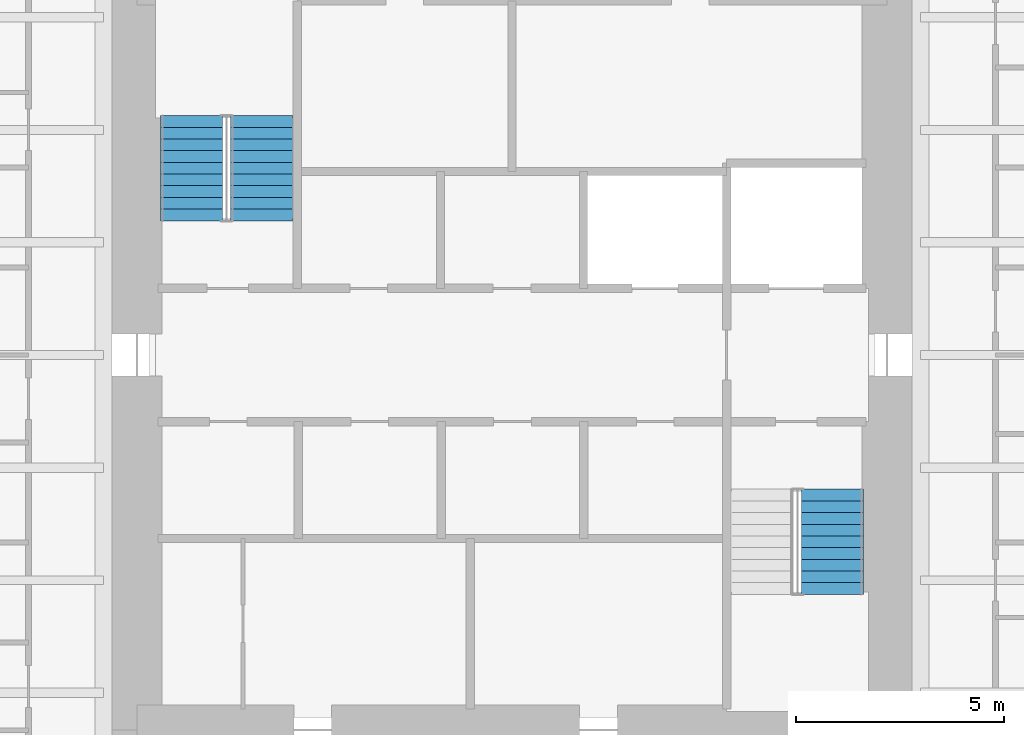
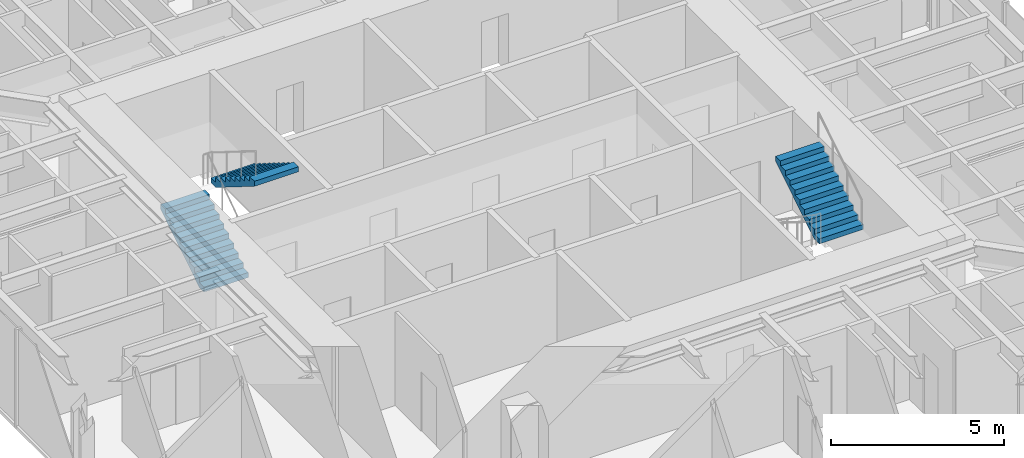
# One storey, part 9 of 10: 3 stair flights, 2 elements without a shape of their own.
"""IFC4 building model written with IfcOpenShell, lengths in metres."""

from ifc_helpers import new_model, si_unit, direction, frame, origin, place, context, subcontext, project, spatial, polyline, outline, extrude, material, constituent, constituent_set, type_object, element, aggregate, save


model = new_model("IFC4")

# Units and contexts
model_context = context("Model", 3, precision=1e-05, world=origin(), true_north=direction((0.0, 1.0)))
body_context = subcontext(model_context, "Body", "Model", "MODEL_VIEW")
ifc_project = project(units=[si_unit("LENGTHUNIT", "METRE"), si_unit("AREAUNIT", "SQUARE_METRE"), si_unit("VOLUMEUNIT", "CUBIC_METRE"), si_unit("PLANEANGLEUNIT", "RADIAN"), si_unit("MASSUNIT", "GRAM", prefix="KILO")], contexts=[model_context])

# Site, building, storey
site_placement = place(None, origin())
site = spatial("IfcSite", under=ifc_project, at=site_placement, CompositionType="ELEMENT")
building_placement = place(site_placement, origin())
building = spatial("IfcBuilding", under=site, at=building_placement, Name="Iwan Alto Co-Living Towers", CompositionType="ELEMENT")
storey_placement = place(building_placement, frame((0.0, 0.0, 225.5)))
storey = spatial("IfcBuildingStorey", under=building, at=storey_placement, Name="L61", CompositionType="ELEMENT", Elevation=225.5)

# Stair, stair flights
ifc_material_1 = material(Name="Steel ASTM A36", Category="steel")
ifc_constituent_1 = constituent(ifc_material_1, Name="Stringers", Category="LoadBearing")
ifc_material_2 = material(Name="Concrete f'c 30 MPa", Category="concrete")
ifc_constituent_2 = constituent(ifc_material_2, Name="Tread fill", Category="Finish")
ifc_constituent_set_1 = constituent_set(constituents=[ifc_constituent_1, ifc_constituent_2], Name="STAIR 3500 TWO-FLIGHT T1 CORE")
stair_type = type_object("IfcStairType", Name="STAIR 3500 TWO-FLIGHT T1 CORE", PredefinedType="HALF_TURN_STAIR", material=ifc_constituent_set_1)
stair_1_placement = place(storey_placement, origin())
stair_1 = element("IfcStair", 1, at=stair_1_placement, inside=storey, type_object=stair_type, Name="Stair T1-S1 L61 to L62", PredefinedType="HALF_TURN_STAIR")
ifc_constituent_3 = constituent(ifc_material_1, Name="Stringers", Category="LoadBearing")
ifc_constituent_4 = constituent(ifc_material_2, Name="Tread fill", Category="Finish")
ifc_constituent_set_2 = constituent_set(constituents=[ifc_constituent_3, ifc_constituent_4], Name="STAIR FLIGHT 10 RISERS 280 GOING")
stair_flight_type = type_object("IfcStairFlightType", Name="STAIR FLIGHT 10 RISERS 280 GOING", PredefinedType="STRAIGHT", material=ifc_constituent_set_2)
stair_flight_1_placement = place(storey_placement, frame((-7.68994140625, 3.219970703125, 0.0), z_axis=(0.0, 0.0, 1.0), x_axis=(0.0, 1.0, 0.0)))
stair_flight_1 = element("IfcStairFlight", 2, at=stair_flight_1_placement, type_object=stair_flight_type, Name="T1-S1 flight 1", NumberOfRisers=10, NumberOfTreads=9, PredefinedType="STRAIGHT", RiserHeight=0.175, TreadLength=0.28, context=body_context, shape_type="SweptSolid", body=[
    extrude(outline(polyline([(0.0, 0.0), (0.0, 0.175048828125), (0.280029296875, 0.175048828125), (0.280029296875, 0.35009765625), (0.56005859375, 0.35009765625), (0.56005859375, 0.52490234375), (0.840087890625, 0.52490234375), (0.840087890625, 0.699951171875), (1.1201171875, 0.699951171875), (1.1201171875, 0.875), (1.39990234375, 0.875), (1.39990234375, 1.050048828125), (1.679931640625, 1.050048828125), (1.679931640625, 1.22509765625), (1.9599609375, 1.22509765625), (1.9599609375, 1.39990234375), (2.239990234375, 1.39990234375), (2.239990234375, 1.574951171875), (2.52001953125, 1.574951171875), (2.52001953125, 1.75), (2.52001953125, 1.398193359375), (0.28271484375, 0.0), (0.0, 0.0)])), frame((0.0, 0.739990234375, 0.0), z_axis=(0.0, -1.0, 0.0), x_axis=(1.0, 0.0, 0.0)), (0.0, 0.0, 1.0), 1.47998046875),
])
stair_flight_2_placement = place(storey_placement, frame((-6.010009765625, 5.739990234375, 1.75), z_axis=(0.0, 0.0, 1.0), x_axis=(0.0, -1.0, 0.0)))
stair_flight_2 = element("IfcStairFlight", 3, at=stair_flight_2_placement, type_object=stair_flight_type, Name="T1-S1 flight 2", NumberOfRisers=10, NumberOfTreads=9, PredefinedType="STRAIGHT", RiserHeight=0.175, TreadLength=0.28, context=body_context, shape_type="SweptSolid", body=[
    extrude(outline(polyline([(0.0, 0.0), (0.0, 0.175048828125), (0.280029296875, 0.175048828125), (0.280029296875, 0.35009765625), (0.56005859375, 0.35009765625), (0.56005859375, 0.52490234375), (0.840087890625, 0.52490234375), (0.840087890625, 0.699951171875), (1.1201171875, 0.699951171875), (1.1201171875, 0.875), (1.39990234375, 0.875), (1.39990234375, 1.050048828125), (1.679931640625, 1.050048828125), (1.679931640625, 1.22509765625), (1.9599609375, 1.22509765625), (1.9599609375, 1.39990234375), (2.239990234375, 1.39990234375), (2.239990234375, 1.574951171875), (2.52001953125, 1.574951171875), (2.52001953125, 1.75), (2.52001953125, 1.398193359375), (0.28271484375, 0.0), (0.0, 0.0)])), frame((0.0, 0.739990234375, 0.0), z_axis=(0.0, -1.0, 0.0), x_axis=(1.0, 0.0, 0.0)), (0.0, 0.0, 1.0), 1.47998046875),
])
aggregate(stair_1, [stair_flight_1, stair_flight_2])

# Stair, stair flight
stair_2_placement = place(storey_placement, origin())
stair_2 = element("IfcStair", 4, at=stair_2_placement, inside=storey, type_object=stair_type, Name="Stair T1-S2 L61 to L62", PredefinedType="HALF_TURN_STAIR")
stair_flight_3_placement = place(storey_placement, frame((7.68994140625, -5.739990234375, 1.75), z_axis=(0.0, 0.0, 1.0), x_axis=(0.0, 1.0, 0.0)))
stair_flight_3 = element("IfcStairFlight", 5, at=stair_flight_3_placement, type_object=stair_flight_type, Name="T1-S2 flight 2", NumberOfRisers=10, NumberOfTreads=9, PredefinedType="STRAIGHT", RiserHeight=0.175, TreadLength=0.28, context=body_context, shape_type="SweptSolid", body=[
    extrude(outline(polyline([(0.0, 0.0), (0.0, 0.175048828125), (0.280029296875, 0.175048828125), (0.280029296875, 0.35009765625), (0.56005859375, 0.35009765625), (0.56005859375, 0.52490234375), (0.840087890625, 0.52490234375), (0.840087890625, 0.699951171875), (1.1201171875, 0.699951171875), (1.1201171875, 0.875), (1.39990234375, 0.875), (1.39990234375, 1.050048828125), (1.679931640625, 1.050048828125), (1.679931640625, 1.22509765625), (1.9599609375, 1.22509765625), (1.9599609375, 1.39990234375), (2.239990234375, 1.39990234375), (2.239990234375, 1.574951171875), (2.52001953125, 1.574951171875), (2.52001953125, 1.75), (2.52001953125, 1.398193359375), (0.28271484375, 0.0), (0.0, 0.0)])), frame((0.0, 0.739990234375, 0.0), z_axis=(0.0, -1.0, 0.0), x_axis=(1.0, 0.0, 0.0)), (0.0, 0.0, 1.0), 1.47998046875),
])
aggregate(stair_2, [stair_flight_3])

save(model, "model.ifc")
